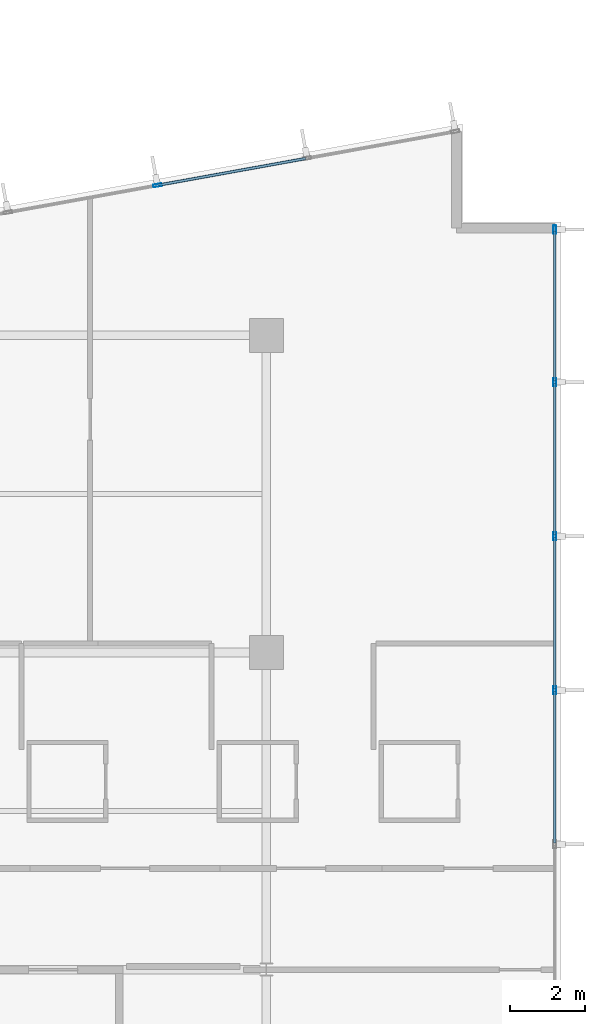
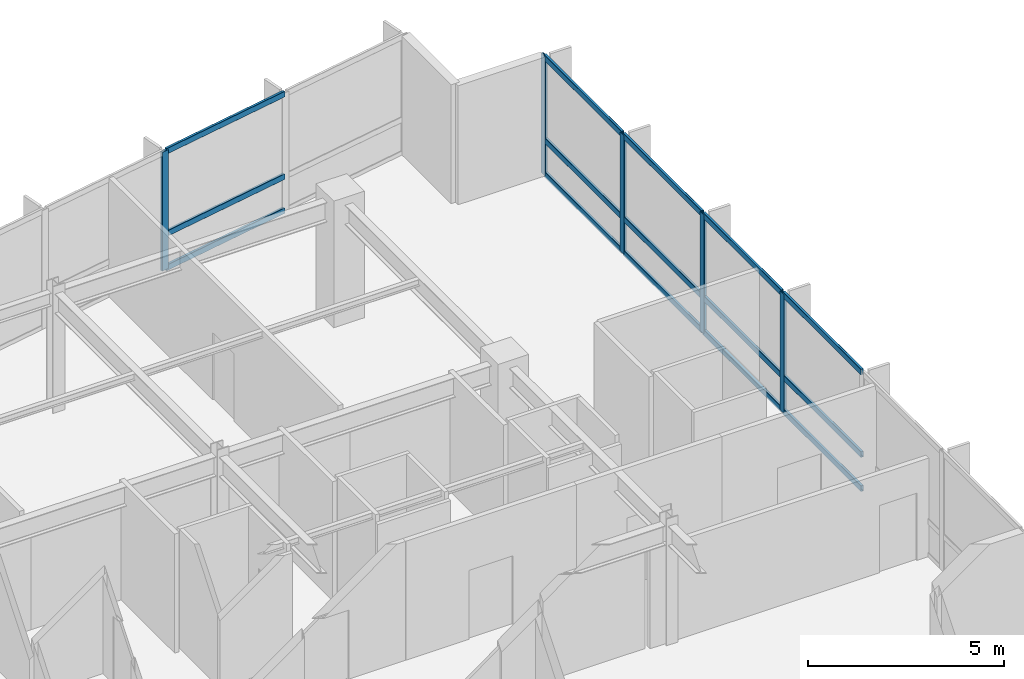
# One storey, part 8 of 21: 20 members, 2 elements without a shape of their own.
"""IFC4 building model written with IfcOpenShell, lengths in metres."""

from ifc_helpers import new_model, si_unit, direction, frame, origin, origin_2d, place, context, subcontext, project, spatial, hollow_rectangle, extrude, material, layer, layer_set, material_profile, profile_set, type_object, element, aggregate, save


model = new_model("IFC4")

# Units and contexts
model_context = context("Model", 3, precision=1e-05, world=origin(), true_north=direction((0.0, 1.0)))
body_context = subcontext(model_context, "Body", "Model", "MODEL_VIEW")
ifc_project = project(units=[si_unit("LENGTHUNIT", "METRE"), si_unit("AREAUNIT", "SQUARE_METRE"), si_unit("VOLUMEUNIT", "CUBIC_METRE"), si_unit("PLANEANGLEUNIT", "RADIAN"), si_unit("MASSUNIT", "GRAM", prefix="KILO")], contexts=[model_context])

# Site, building, storey
site_placement = place(None, origin())
site = spatial("IfcSite", under=ifc_project, at=site_placement, CompositionType="ELEMENT")
building_placement = place(site_placement, origin())
building = spatial("IfcBuilding", under=site, at=building_placement, Name="Varnakote Quay Hospital", CompositionType="ELEMENT")
storey_placement = place(building_placement, frame((0.0, 0.0, 34.35009765625)))
storey = spatial("IfcBuildingStorey", under=building, at=storey_placement, Name="L08", CompositionType="ELEMENT", Elevation=34.35009765625)

# Curtain wall, members
ifc_material_1 = material(Name="Anodised aluminium 6063-T6 Bronze", Category="aluminium")
ifc_layer = layer(ifc_material_1, 0.18994140625)
ifc_layer_set = layer_set([ifc_layer], Name="Anodised aluminium 6063-T6 Bronze")
curtain_wall_type = type_object("IfcCurtainWallType", Name="CW-SYS-2", PredefinedType="NOTDEFINED", material=ifc_layer_set)
curtain_wall_1_placement = place(storey_placement, origin())
curtain_wall_1 = element("IfcCurtainWall", 1, at=curtain_wall_1_placement, inside=storey, type_object=curtain_wall_type, Name="L08 Unitised Bronze Curtain Wall 1", PredefinedType="NOTDEFINED")
ifc_material_2 = material(Name="Anodised aluminium 6063-T6 Bronze", Category="aluminium")
ifc_material_profile_1 = material_profile(ifc_material_2, hollow_rectangle(XDim=0.074951171875, YDim=0.219970703125, WallThickness=0.00439453125, InnerFilletRadius=0.00439453125, OuterFilletRadius=0.009033203125, at=origin_2d()), Name="CW-MULL-220x75")
ifc_profile_set_1 = profile_set([ifc_material_profile_1], Name="Anodised aluminium 6063-T6 Bronze")
member_type_1 = type_object("IfcMemberType", Name="CW-MULL-220x75", PredefinedType="MULLION", material=ifc_profile_set_1)
member_1_placement = place(storey_placement, frame((58.0400390625, 19.39990234375, 0.0), z_axis=(0.0, 0.0, 1.0), x_axis=(-1.0, 0.0, 0.0)))
member_1 = element("IfcMember", 2, at=member_1_placement, type_object=member_type_1, Name="-2-L08-1 mullion 4", PredefinedType="MULLION", context=body_context, shape_type="SweptSolid", body=[
    extrude(hollow_rectangle(XDim=0.074951171875, YDim=0.219970703125, WallThickness=0.00439453125, InnerFilletRadius=0.00439453125, OuterFilletRadius=0.009033203125, at=origin_2d()), origin(), (0.0, 0.0, 1.0), 3.7099609375),
])
member_2_placement = place(storey_placement, frame((58.0400390625, 23.47998046875, 0.0), z_axis=(0.0, 0.0, 1.0), x_axis=(-1.0, 0.0, 0.0)))
member_2 = element("IfcMember", 3, at=member_2_placement, type_object=member_type_1, Name="-2-L08-1 mullion 5", PredefinedType="MULLION", context=body_context, shape_type="SweptSolid", body=[
    extrude(hollow_rectangle(XDim=0.074951171875, YDim=0.219970703125, WallThickness=0.00439453125, InnerFilletRadius=0.00439453125, OuterFilletRadius=0.009033203125, at=origin_2d()), origin(), (0.0, 0.0, 1.0), 3.7099609375),
])
member_3_placement = place(storey_placement, frame((58.0400390625, 27.56005859375, 0.0), z_axis=(0.0, 0.0, 1.0), x_axis=(-1.0, 0.0, 0.0)))
member_3 = element("IfcMember", 4, at=member_3_placement, type_object=member_type_1, Name="-2-L08-1 mullion 6", PredefinedType="MULLION", context=body_context, shape_type="SweptSolid", body=[
    extrude(hollow_rectangle(XDim=0.074951171875, YDim=0.219970703125, WallThickness=0.00439453125, InnerFilletRadius=0.00439453125, OuterFilletRadius=0.009033203125, at=origin_2d()), origin(), (0.0, 0.0, 1.0), 3.7099609375),
])
member_4_placement = place(storey_placement, frame((58.0400390625, 31.6025390625, 0.0), z_axis=(0.0, 0.0, 1.0), x_axis=(-1.0, 0.0, 0.0)))
member_4 = element("IfcMember", 5, at=member_4_placement, type_object=member_type_1, Name="-2-L08-1 mullion 7", PredefinedType="MULLION", context=body_context, shape_type="SweptSolid", body=[
    extrude(hollow_rectangle(XDim=0.074951171875, YDim=0.219970703125, WallThickness=0.00439453125, InnerFilletRadius=0.00439453125, OuterFilletRadius=0.009033203125, at=origin_2d()), origin(), (0.0, 0.0, 1.0), 3.7099609375),
])

# Curtain wall, member
curtain_wall_2_placement = place(storey_placement, origin())
curtain_wall_2 = element("IfcCurtainWall", 6, at=curtain_wall_2_placement, inside=storey, type_object=curtain_wall_type, Name="L08 Unitised Bronze Curtain Wall 2", PredefinedType="NOTDEFINED")
member_5_placement = place(storey_placement, frame((47.514892578125, 32.776123046875, 0.0), z_axis=(0.0, 0.0, 1.0), x_axis=(0.177846199098, -0.984058295766, 0.0)))
member_5 = element("IfcMember", 7, at=member_5_placement, type_object=member_type_1, Name="-2-L08-2 mullion 3", PredefinedType="MULLION", context=body_context, shape_type="SweptSolid", body=[
    extrude(hollow_rectangle(XDim=0.074951171875, YDim=0.219970703125, WallThickness=0.00439453125, InnerFilletRadius=0.00439453125, OuterFilletRadius=0.009033203125, at=origin_2d()), origin(), (0.0, 0.0, 1.0), 3.7099609375),
])

# Member
ifc_material_3 = material(Name="Anodised aluminium 6063-T6 Bronze", Category="aluminium")
ifc_material_profile_2 = material_profile(ifc_material_3, hollow_rectangle(XDim=0.074951171875, YDim=0.179931640625, WallThickness=0.004150390625, InnerFilletRadius=0.004150390625, OuterFilletRadius=0.00830078125, at=origin_2d()), Name="CW-TRAN-180x75")
ifc_profile_set_2 = profile_set([ifc_material_profile_2], Name="Anodised aluminium 6063-T6 Bronze")
member_type_2 = type_object("IfcMemberType", Name="CW-TRAN-180x75", PredefinedType="USERDEFINED", material=ifc_profile_set_2)
member_6_placement = place(storey_placement, frame((58.0400390625, 15.357421875, 0.037353515625), z_axis=(0.0, 1.0, 0.0), x_axis=(-1.0, 0.0, 0.0)))
member_6 = element("IfcMember", 8, at=member_6_placement, type_object=member_type_2, Name="-2-L08-1 transom 3.1", ObjectType="TRANSOM", PredefinedType="USERDEFINED", context=body_context, shape_type="SweptSolid", body=[
    extrude(hollow_rectangle(XDim=0.074951171875, YDim=0.179931640625, WallThickness=0.004150390625, InnerFilletRadius=0.004150390625, OuterFilletRadius=0.00830078125, at=origin_2d()), origin(), (0.0, 0.0, 1.0), 4.005126953125),
])

member_7_placement = place(storey_placement, frame((58.0400390625, 15.357421875, 1.099853515625), z_axis=(0.0, 1.0, 0.0), x_axis=(-1.0, 0.0, 0.0)))
member_7 = element("IfcMember", 9, at=member_7_placement, type_object=member_type_2, Name="-2-L08-1 transom 3.2", ObjectType="TRANSOM", PredefinedType="USERDEFINED", context=body_context, shape_type="SweptSolid", body=[
    extrude(hollow_rectangle(XDim=0.074951171875, YDim=0.179931640625, WallThickness=0.004150390625, InnerFilletRadius=0.004150390625, OuterFilletRadius=0.00830078125, at=origin_2d()), origin(), (0.0, 0.0, 1.0), 4.005126953125),
])

member_8_placement = place(storey_placement, frame((58.0400390625, 15.357421875, 3.67236328125), z_axis=(0.0, 1.0, 0.0), x_axis=(-1.0, 0.0, 0.0)))
member_8 = element("IfcMember", 10, at=member_8_placement, type_object=member_type_2, Name="-2-L08-1 transom 3.3", ObjectType="TRANSOM", PredefinedType="USERDEFINED", context=body_context, shape_type="SweptSolid", body=[
    extrude(hollow_rectangle(XDim=0.074951171875, YDim=0.179931640625, WallThickness=0.004150390625, InnerFilletRadius=0.004150390625, OuterFilletRadius=0.00830078125, at=origin_2d()), origin(), (0.0, 0.0, 1.0), 4.005126953125),
])

member_9_placement = place(storey_placement, frame((58.0400390625, 19.4375, 0.037353515625), z_axis=(0.0, 1.0, 0.0), x_axis=(-1.0, 0.0, 0.0)))
member_9 = element("IfcMember", 11, at=member_9_placement, type_object=member_type_2, Name="-2-L08-1 transom 4.1", ObjectType="TRANSOM", PredefinedType="USERDEFINED", context=body_context, shape_type="SweptSolid", body=[
    extrude(hollow_rectangle(XDim=0.074951171875, YDim=0.179931640625, WallThickness=0.004150390625, InnerFilletRadius=0.004150390625, OuterFilletRadius=0.00830078125, at=origin_2d()), origin(), (0.0, 0.0, 1.0), 4.0048828125),
])

member_10_placement = place(storey_placement, frame((58.0400390625, 19.4375, 1.099853515625), z_axis=(0.0, 1.0, 0.0), x_axis=(-1.0, 0.0, 0.0)))
member_10 = element("IfcMember", 12, at=member_10_placement, type_object=member_type_2, Name="-2-L08-1 transom 4.2", ObjectType="TRANSOM", PredefinedType="USERDEFINED", context=body_context, shape_type="SweptSolid", body=[
    extrude(hollow_rectangle(XDim=0.074951171875, YDim=0.179931640625, WallThickness=0.004150390625, InnerFilletRadius=0.004150390625, OuterFilletRadius=0.00830078125, at=origin_2d()), origin(), (0.0, 0.0, 1.0), 4.0048828125),
])

member_11_placement = place(storey_placement, frame((58.0400390625, 19.4375, 3.67236328125), z_axis=(0.0, 1.0, 0.0), x_axis=(-1.0, 0.0, 0.0)))
member_11 = element("IfcMember", 13, at=member_11_placement, type_object=member_type_2, Name="-2-L08-1 transom 4.3", ObjectType="TRANSOM", PredefinedType="USERDEFINED", context=body_context, shape_type="SweptSolid", body=[
    extrude(hollow_rectangle(XDim=0.074951171875, YDim=0.179931640625, WallThickness=0.004150390625, InnerFilletRadius=0.004150390625, OuterFilletRadius=0.00830078125, at=origin_2d()), origin(), (0.0, 0.0, 1.0), 4.0048828125),
])

member_12_placement = place(storey_placement, frame((58.0400390625, 23.517578125, 0.037353515625), z_axis=(0.0, 1.0, 0.0), x_axis=(-1.0, 0.0, 0.0)))
member_12 = element("IfcMember", 14, at=member_12_placement, type_object=member_type_2, Name="-2-L08-1 transom 5.1", ObjectType="TRANSOM", PredefinedType="USERDEFINED", context=body_context, shape_type="SweptSolid", body=[
    extrude(hollow_rectangle(XDim=0.074951171875, YDim=0.179931640625, WallThickness=0.004150390625, InnerFilletRadius=0.004150390625, OuterFilletRadius=0.00830078125, at=origin_2d()), origin(), (0.0, 0.0, 1.0), 4.0048828125),
])

member_13_placement = place(storey_placement, frame((58.0400390625, 23.517578125, 1.099853515625), z_axis=(0.0, 1.0, 0.0), x_axis=(-1.0, 0.0, 0.0)))
member_13 = element("IfcMember", 15, at=member_13_placement, type_object=member_type_2, Name="-2-L08-1 transom 5.2", ObjectType="TRANSOM", PredefinedType="USERDEFINED", context=body_context, shape_type="SweptSolid", body=[
    extrude(hollow_rectangle(XDim=0.074951171875, YDim=0.179931640625, WallThickness=0.004150390625, InnerFilletRadius=0.004150390625, OuterFilletRadius=0.00830078125, at=origin_2d()), origin(), (0.0, 0.0, 1.0), 4.0048828125),
])

member_14_placement = place(storey_placement, frame((58.0400390625, 23.517578125, 3.67236328125), z_axis=(0.0, 1.0, 0.0), x_axis=(-1.0, 0.0, 0.0)))
member_14 = element("IfcMember", 16, at=member_14_placement, type_object=member_type_2, Name="-2-L08-1 transom 5.3", ObjectType="TRANSOM", PredefinedType="USERDEFINED", context=body_context, shape_type="SweptSolid", body=[
    extrude(hollow_rectangle(XDim=0.074951171875, YDim=0.179931640625, WallThickness=0.004150390625, InnerFilletRadius=0.004150390625, OuterFilletRadius=0.00830078125, at=origin_2d()), origin(), (0.0, 0.0, 1.0), 4.0048828125),
])

member_15_placement = place(storey_placement, frame((58.0400390625, 27.597412109375, 0.037353515625), z_axis=(0.0, 1.0, 0.0), x_axis=(-1.0, 0.0, 0.0)))
member_15 = element("IfcMember", 17, at=member_15_placement, type_object=member_type_2, Name="-2-L08-1 transom 6.1", ObjectType="TRANSOM", PredefinedType="USERDEFINED", context=body_context, shape_type="SweptSolid", body=[
    extrude(hollow_rectangle(XDim=0.074951171875, YDim=0.179931640625, WallThickness=0.004150390625, InnerFilletRadius=0.004150390625, OuterFilletRadius=0.00830078125, at=origin_2d()), origin(), (0.0, 0.0, 1.0), 3.967529296875),
])

member_16_placement = place(storey_placement, frame((58.0400390625, 27.597412109375, 1.099853515625), z_axis=(0.0, 1.0, 0.0), x_axis=(-1.0, 0.0, 0.0)))
member_16 = element("IfcMember", 18, at=member_16_placement, type_object=member_type_2, Name="-2-L08-1 transom 6.2", ObjectType="TRANSOM", PredefinedType="USERDEFINED", context=body_context, shape_type="SweptSolid", body=[
    extrude(hollow_rectangle(XDim=0.074951171875, YDim=0.179931640625, WallThickness=0.004150390625, InnerFilletRadius=0.004150390625, OuterFilletRadius=0.00830078125, at=origin_2d()), origin(), (0.0, 0.0, 1.0), 3.967529296875),
])

member_17_placement = place(storey_placement, frame((58.0400390625, 27.597412109375, 3.67236328125), z_axis=(0.0, 1.0, 0.0), x_axis=(-1.0, 0.0, 0.0)))
member_17 = element("IfcMember", 19, at=member_17_placement, type_object=member_type_2, Name="-2-L08-1 transom 6.3", ObjectType="TRANSOM", PredefinedType="USERDEFINED", context=body_context, shape_type="SweptSolid", body=[
    extrude(hollow_rectangle(XDim=0.074951171875, YDim=0.179931640625, WallThickness=0.004150390625, InnerFilletRadius=0.004150390625, OuterFilletRadius=0.00830078125, at=origin_2d()), origin(), (0.0, 0.0, 1.0), 3.967529296875),
])

aggregate(curtain_wall_1, [member_1, member_2, member_3, member_4, member_6, member_7, member_8, member_9, member_10, member_11, member_12, member_13, member_14, member_15, member_16, member_17])

member_18_placement = place(storey_placement, frame((51.4404296875, 33.485595703125, 0.037353515625), z_axis=(-0.984065046829, -0.177808840079, 0.0), x_axis=(0.177808840079, -0.984065046829, 0.0)))
member_18 = element("IfcMember", 20, at=member_18_placement, type_object=member_type_2, Name="-2-L08-2 transom 2.1", ObjectType="TRANSOM", PredefinedType="USERDEFINED", context=body_context, shape_type="SweptSolid", body=[
    extrude(hollow_rectangle(XDim=0.074951171875, YDim=0.179931640625, WallThickness=0.004150390625, InnerFilletRadius=0.004150390625, OuterFilletRadius=0.00830078125, at=origin_2d()), origin(), (0.0, 0.0, 1.0), 3.95166015625),
])

member_19_placement = place(storey_placement, frame((51.4404296875, 33.485595703125, 1.099853515625), z_axis=(-0.984065046829, -0.177808840079, 0.0), x_axis=(0.177808840079, -0.984065046829, 0.0)))
member_19 = element("IfcMember", 21, at=member_19_placement, type_object=member_type_2, Name="-2-L08-2 transom 2.2", ObjectType="TRANSOM", PredefinedType="USERDEFINED", context=body_context, shape_type="SweptSolid", body=[
    extrude(hollow_rectangle(XDim=0.074951171875, YDim=0.179931640625, WallThickness=0.004150390625, InnerFilletRadius=0.004150390625, OuterFilletRadius=0.00830078125, at=origin_2d()), origin(), (0.0, 0.0, 1.0), 3.95166015625),
])

member_20_placement = place(storey_placement, frame((51.4404296875, 33.485595703125, 3.67236328125), z_axis=(-0.984065046829, -0.177808840079, 0.0), x_axis=(0.177808840079, -0.984065046829, 0.0)))
member_20 = element("IfcMember", 22, at=member_20_placement, type_object=member_type_2, Name="-2-L08-2 transom 2.3", ObjectType="TRANSOM", PredefinedType="USERDEFINED", context=body_context, shape_type="SweptSolid", body=[
    extrude(hollow_rectangle(XDim=0.074951171875, YDim=0.179931640625, WallThickness=0.004150390625, InnerFilletRadius=0.004150390625, OuterFilletRadius=0.00830078125, at=origin_2d()), origin(), (0.0, 0.0, 1.0), 3.95166015625),
])

aggregate(curtain_wall_2, [member_5, member_18, member_19, member_20])

save(model, "model.ifc")
